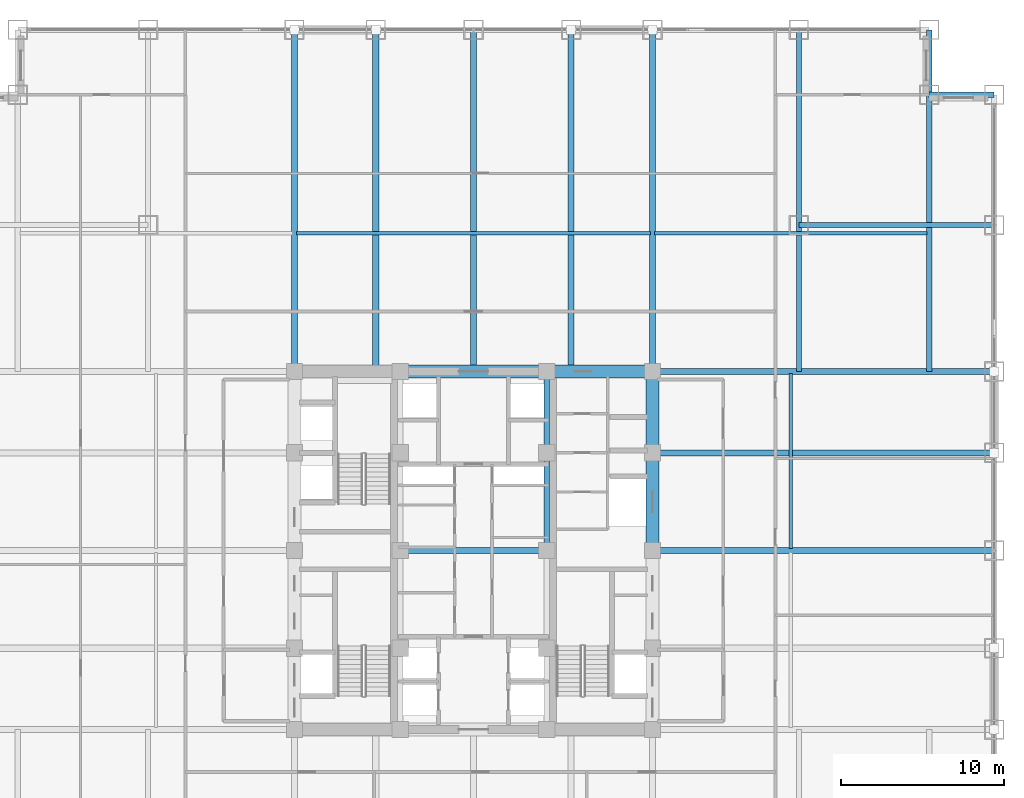
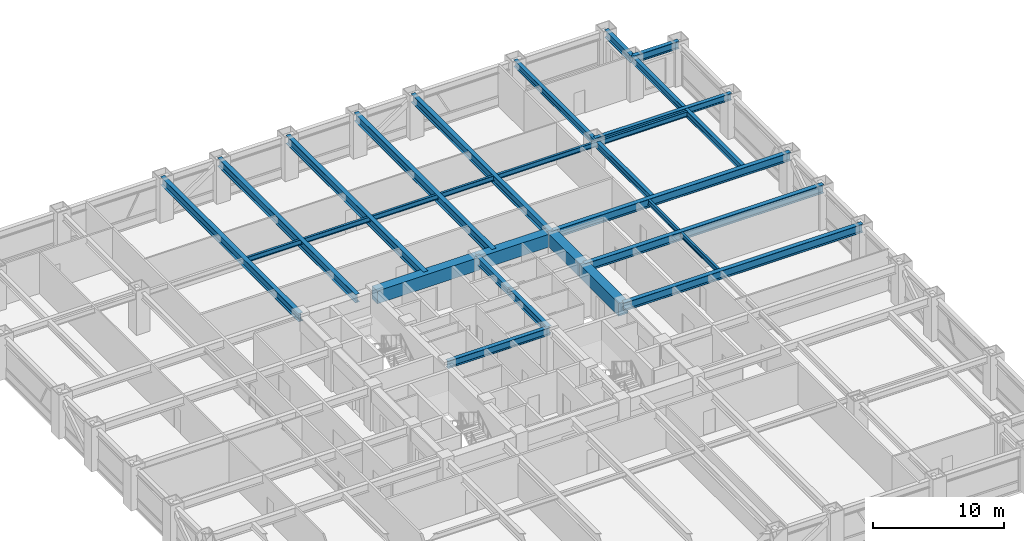
# One storey, part 11 of 27: 23 beams.
"""IFC4 building model written with IfcOpenShell, lengths in metres."""

from ifc_helpers import new_model, si_unit, direction, frame, origin, origin_2d, place, context, subcontext, project, spatial, rectangle, i_section, extrude, source, transform, mapped, material, material_profile, profile_set, type_object, element, save


model = new_model("IFC4")

# Units and contexts
model_context = context("Model", 3, precision=1e-05, world=origin(), true_north=direction((0.0, 1.0)))
body_context = subcontext(model_context, "Body", "Model", "MODEL_VIEW")
ifc_project = project(units=[si_unit("LENGTHUNIT", "METRE"), si_unit("AREAUNIT", "SQUARE_METRE"), si_unit("VOLUMEUNIT", "CUBIC_METRE"), si_unit("PLANEANGLEUNIT", "RADIAN"), si_unit("MASSUNIT", "GRAM", prefix="KILO")], contexts=[model_context])

# Site, building, storey
site_placement = place(None, origin())
site = spatial("IfcSite", under=ifc_project, at=site_placement, CompositionType="ELEMENT")
building_placement = place(site_placement, origin())
building = spatial("IfcBuilding", under=site, at=building_placement, Name="Khorayat Bourse Tower", CompositionType="ELEMENT")
storey_placement = place(building_placement, frame((0.0, 0.0, 103.699951171875)))
storey = spatial("IfcBuildingStorey", under=building, at=storey_placement, Name="L23", CompositionType="ELEMENT", Elevation=103.699951171875)

# Beams
ifc_material_1 = material(Name="Concrete C72/90", Category="concrete")
ifc_material_profile_1 = material_profile(ifc_material_1, rectangle(XDim=0.800048828125, YDim=1.199951171875, at=origin_2d()), Name="RC 800x1200")
ifc_profile_set_1 = profile_set([ifc_material_profile_1], Name="Concrete C72/90")
beam_type_1 = type_object("IfcBeamType", Name="BM-COUP-1200", PredefinedType="BEAM", material=ifc_profile_set_1)
shared_shape_1 = source(origin(), body_context, "Body", "SweptSolid", [
    extrude(rectangle(XDim=0.800048828125, YDim=1.199951171875, at=origin_2d()), origin(), (0.0, 0.0, 1.0), 5.0),
])
beam_1_placement = place(storey_placement, frame((11.0, 6.0, 3.239990234375), z_axis=(0.0, 1.0, 0.0), x_axis=(-1.0, 0.0, 0.0)))
element("IfcBeam", 1, at=beam_1_placement, inside=storey, type_object=beam_type_1, Name="L23 BM-COUP-1200 BM-L23-CRX-16", PredefinedType="BEAM", context=body_context, shape_type="MappedRepresentation", body=[
    mapped(shared_shape_1, transform((0.0, 0.0, 0.0), scale=1.0)),
])
shared_shape_2 = source(origin(), body_context, "Body", "SweptSolid", [
    extrude(rectangle(XDim=0.800048828125, YDim=1.199951171875, at=origin_2d()), origin(), (0.0, 0.0, 1.0), 6.0),
])
beam_2_placement = place(storey_placement, frame((11.0, 0.0, 3.239990234375), z_axis=(0.0, 1.0, 0.0), x_axis=(-1.0, 0.0, 0.0)))
element("IfcBeam", 2, at=beam_2_placement, inside=storey, type_object=beam_type_1, Name="L23 BM-COUP-1200 BM-L23-CRX-15", PredefinedType="BEAM", context=body_context, shape_type="MappedRepresentation", body=[
    mapped(shared_shape_2, transform((0.0, 0.0, 0.0), scale=1.0)),
])
ifc_material_2 = material(Name="Steel ASTM A992 Grade 50", Category="steel")
ifc_material_profile_2 = material_profile(ifc_material_2, i_section(OverallWidth=0.35498046875, OverallDepth=0.695068359375, WebThickness=0.015380859375, FlangeThickness=0.02490234375, FilletRadius=0.01806640625, at=origin_2d()), Name="W690X217")
ifc_profile_set_2 = profile_set([ifc_material_profile_2], Name="Steel ASTM A992 Grade 50")
beam_type_2 = type_object("IfcBeamType", Name="BM-GIRD-690", PredefinedType="BEAM", material=ifc_profile_set_2)
shared_shape_3 = source(origin(), body_context, "Body", "SweptSolid", [
    extrude(i_section(OverallWidth=0.35498046875, OverallDepth=0.695068359375, WebThickness=0.015380859375, FlangeThickness=0.02490234375, FilletRadius=0.01806640625, at=origin_2d()), origin(), (0.0, 0.0, 1.0), 5.0),
])
beam_3_placement = place(storey_placement, frame((4.5, 6.0, 3.492431640625), z_axis=(0.0, 1.0, 0.0), x_axis=(-1.0, 0.0, 0.0)))
element("IfcBeam", 3, at=beam_3_placement, inside=storey, type_object=beam_type_2, Name="L23 BM-GIRD-690 BM-L23-CRX-12", PredefinedType="BEAM", context=body_context, shape_type="MappedRepresentation", body=[
    mapped(shared_shape_3, transform((0.0, 0.0, 0.0), scale=1.0)),
])
shared_shape_4 = source(origin(), body_context, "Body", "SweptSolid", [
    extrude(i_section(OverallWidth=0.35498046875, OverallDepth=0.695068359375, WebThickness=0.015380859375, FlangeThickness=0.02490234375, FilletRadius=0.01806640625, at=origin_2d()), origin(), (0.0, 0.0, 1.0), 6.0),
])
beam_4_placement = place(storey_placement, frame((4.5, 0.0, 3.492431640625), z_axis=(0.0, 1.0, 0.0), x_axis=(-1.0, 0.0, 0.0)))
element("IfcBeam", 4, at=beam_4_placement, inside=storey, type_object=beam_type_2, Name="L23 BM-GIRD-690 BM-L23-CRX-11", PredefinedType="BEAM", context=body_context, shape_type="MappedRepresentation", body=[
    mapped(shared_shape_4, transform((0.0, 0.0, 0.0), scale=1.0)),
])
shared_shape_5 = source(origin(), body_context, "Body", "SweptSolid", [
    extrude(rectangle(XDim=0.800048828125, YDim=1.199951171875, at=origin_2d()), origin(), (0.0, 0.0, 1.0), 6.5),
])
beam_5_placement = place(storey_placement, frame((4.5, 11.0, 3.239990234375), z_axis=(1.0, 0.0, 0.0), x_axis=(0.0, 1.0, 0.0)))
element("IfcBeam", 5, at=beam_5_placement, inside=storey, type_object=beam_type_1, Name="L23 BM-COUP-1200 BM-L23-CRY-22", PredefinedType="BEAM", context=body_context, shape_type="MappedRepresentation", body=[
    mapped(shared_shape_5, transform((0.0, 0.0, 0.0), scale=1.0)),
])
shared_shape_6 = source(origin(), body_context, "Body", "SweptSolid", [
    extrude(rectangle(XDim=0.800048828125, YDim=1.199951171875, at=origin_2d()), origin(), (0.0, 0.0, 1.0), 9.0),
])
beam_6_placement = place(storey_placement, frame((-4.5, 11.0, 3.239990234375), z_axis=(1.0, 0.0, 0.0), x_axis=(0.0, 1.0, 0.0)))
element("IfcBeam", 6, at=beam_6_placement, inside=storey, type_object=beam_type_1, Name="L23 BM-COUP-1200 BM-L23-CRY-21", PredefinedType="BEAM", context=body_context, shape_type="MappedRepresentation", body=[
    mapped(shared_shape_6, transform((0.0, 0.0, 0.0), scale=1.0)),
])
shared_shape_7 = source(origin(), body_context, "Body", "SweptSolid", [
    extrude(i_section(OverallWidth=0.35498046875, OverallDepth=0.695068359375, WebThickness=0.015380859375, FlangeThickness=0.02490234375, FilletRadius=0.01806640625, at=origin_2d()), origin(), (0.0, 0.0, 1.0), 9.0),
])
beam_7_placement = place(storey_placement, frame((-4.5, 0.0, 3.492431640625), z_axis=(1.0, 0.0, 0.0), x_axis=(0.0, 1.0, 0.0)))
element("IfcBeam", 7, at=beam_7_placement, inside=storey, type_object=beam_type_2, Name="L23 BM-GIRD-690 BM-L23-CRY-23", PredefinedType="BEAM", context=body_context, shape_type="MappedRepresentation", body=[
    mapped(shared_shape_7, transform((0.0, 0.0, 0.0), scale=1.0)),
])
ifc_material_profile_3 = material_profile(ifc_material_2, i_section(OverallWidth=0.324951171875, OverallDepth=0.615966796875, WebThickness=0.013916015625, FlangeThickness=0.021484375, FilletRadius=0.01611328125, at=origin_2d()), Name="W610X174")
ifc_profile_set_3 = profile_set([ifc_material_profile_3], Name="Steel ASTM A992 Grade 50")
beam_type_3 = type_object("IfcBeamType", Name="BM-GIRD-610", PredefinedType="BEAM", material=ifc_profile_set_3)
shared_shape_8 = source(origin(), body_context, "Body", "SweptSolid", [
    extrude(i_section(OverallWidth=0.324951171875, OverallDepth=0.615966796875, WebThickness=0.013916015625, FlangeThickness=0.021484375, FilletRadius=0.01611328125, at=origin_2d()), origin(), (0.0, 0.0, 1.0), 21.0),
])
beam_8_placement = place(storey_placement, frame((20.0, 11.0, 3.531982421875), z_axis=(0.0, 1.0, 0.0), x_axis=(-1.0, 0.0, 0.0)))
element("IfcBeam", 8, at=beam_8_placement, inside=storey, type_object=beam_type_3, Name="L23 BM-GIRD-610 BM-L23-CNRY-087", PredefinedType="BEAM", context=body_context, shape_type="MappedRepresentation", body=[
    mapped(shared_shape_8, transform((0.0, 0.0, 0.0), scale=1.0)),
])
shared_shape_9 = source(origin(), body_context, "Body", "SweptSolid", [
    extrude(i_section(OverallWidth=0.324951171875, OverallDepth=0.615966796875, WebThickness=0.013916015625, FlangeThickness=0.021484375, FilletRadius=0.01611328125, at=origin_2d()), origin(), (0.0, 0.0, 1.0), 12.0),
])
beam_9_placement = place(storey_placement, frame((20.0, 20.0, 3.531982421875), z_axis=(1.0, 0.0, 0.0), x_axis=(0.0, 1.0, 0.0)))
element("IfcBeam", 9, at=beam_9_placement, inside=storey, type_object=beam_type_3, Name="L23 BM-GIRD-610 BM-L23-CNRX-094", PredefinedType="BEAM", context=body_context, shape_type="MappedRepresentation", body=[
    mapped(shared_shape_9, transform((0.0, 0.0, 0.0), scale=1.0)),
])
ifc_material_profile_4 = material_profile(ifc_material_2, i_section(OverallWidth=0.194091796875, OverallDepth=0.468994140625, WebThickness=0.0126953125, FlangeThickness=0.0205078125, FilletRadius=0.012939453125, at=origin_2d()), Name="W460X106")
ifc_profile_set_4 = profile_set([ifc_material_profile_4], Name="Steel ASTM A992 Grade 50")
beam_type_4 = type_object("IfcBeamType", Name="BM-JOIST-460", PredefinedType="JOIST", material=ifc_profile_set_4)
shared_shape_10 = source(origin(), body_context, "Body", "SweptSolid", [
    extrude(i_section(OverallWidth=0.194091796875, OverallDepth=0.468994140625, WebThickness=0.0126953125, FlangeThickness=0.0205078125, FilletRadius=0.012939453125, at=origin_2d()), origin(), (0.0, 0.0, 1.0), 21.740234375),
])
beam_10_placement = place(storey_placement, frame((-10.8701171875, 19.5, 3.60546875), z_axis=(1.0, 0.0, 0.0), x_axis=(0.0, 1.0, 0.0)))
element("IfcBeam", 10, at=beam_10_placement, inside=storey, type_object=beam_type_4, Name="L23 BM-JOIST-460 BM-L23-JSTX-100", PredefinedType="JOIST", context=body_context, shape_type="MappedRepresentation", body=[
    mapped(shared_shape_10, transform((0.0, 0.0, 0.0), scale=1.0)),
])
shared_shape_11 = source(origin(), body_context, "Body", "SweptSolid", [
    extrude(i_section(OverallWidth=0.194091796875, OverallDepth=0.468994140625, WebThickness=0.0126953125, FlangeThickness=0.0205078125, FilletRadius=0.012939453125, at=origin_2d()), origin(), (0.0, 0.0, 1.0), 10.740234375),
])
beam_11_placement = place(storey_placement, frame((19.5, 0.1298828125, 3.60546875), z_axis=(0.0, 1.0, 0.0), x_axis=(-1.0, 0.0, 0.0)))
element("IfcBeam", 11, at=beam_11_placement, inside=storey, type_object=beam_type_4, Name="L23 BM-JOIST-460 BM-L23-JSTY-105", PredefinedType="JOIST", context=body_context, shape_type="MappedRepresentation", body=[
    mapped(shared_shape_11, transform((0.0, 0.0, 0.0), scale=1.0)),
])
ifc_material_profile_5 = material_profile(ifc_material_2, i_section(OverallWidth=0.35498046875, OverallDepth=0.695068359375, WebThickness=0.015380859375, FlangeThickness=0.02490234375, FilletRadius=0.01806640625, at=origin_2d()), Name="W690X217")
ifc_profile_set_5 = profile_set([ifc_material_profile_5], Name="Steel ASTM A992 Grade 50")
beam_type_5 = type_object("IfcBeamType", Name="BM-SPAN-690", PredefinedType="SPANDREL", material=ifc_profile_set_5)
shared_shape_12 = source(origin(), body_context, "Body", "SweptSolid", [
    extrude(i_section(OverallWidth=0.35498046875, OverallDepth=0.695068359375, WebThickness=0.015380859375, FlangeThickness=0.02490234375, FilletRadius=0.01806640625, at=origin_2d()), origin(), (0.0, 0.0, 1.0), 4.0),
])
for number, where, z_axis, x_axis, name in (
    (12, (28.0, 28.0, 3.492431640625), (1.0, 0.0, 0.0), (0.0, 1.0, 0.0), "L23 BM-SPAN-690 BM-L23-SPN-042"),
    (13, (28.0, 28.0, 3.492431640625), (0.0, 1.0, 0.0), (-1.0, 0.0, 0.0), "L23 BM-SPAN-690 BM-L23-SPN-043"),
):
    element("IfcBeam", number, at=place(storey_placement, frame(where, z_axis=z_axis, x_axis=x_axis)), inside=storey, type_object=beam_type_5, Name=name, PredefinedType="SPANDREL", context=body_context, shape_type="MappedRepresentation", body=[
        mapped(shared_shape_12, transform((0.0, 0.0, 0.0), scale=1.0)),
    ])
ifc_material_profile_6 = material_profile(ifc_material_2, i_section(OverallWidth=0.381103515625, OverallDepth=0.77294921875, WebThickness=0.0166015625, FlangeThickness=0.027587890625, FilletRadius=0.01806640625, at=origin_2d()), Name="W760X257")
ifc_profile_set_6 = profile_set([ifc_material_profile_6], Name="Steel ASTM A992 Grade 50")
beam_type_6 = type_object("IfcBeamType", Name="BM-GIRD-760", PredefinedType="BEAM", material=ifc_profile_set_6)
shared_shape_13 = source(origin(), body_context, "Body", "SweptSolid", [
    extrude(i_section(OverallWidth=0.381103515625, OverallDepth=0.77294921875, WebThickness=0.0166015625, FlangeThickness=0.027587890625, FilletRadius=0.01806640625, at=origin_2d()), origin(), (0.0, 0.0, 1.0), 21.0),
])
for number, where, z_axis, x_axis, name in (
    (14, (-11.0, 11.0, 3.45361328125), (0.0, 1.0, 0.0), (-1.0, 0.0, 0.0), "L23 BM-GIRD-760 BM-L23-RADY-064"),
    (15, (-6.0, 11.0, 3.45361328125), (0.0, 1.0, 0.0), (-1.0, 0.0, 0.0), "L23 BM-GIRD-760 BM-L23-RADY-066"),
    (16, (0.0, 11.0, 3.45361328125), (0.0, 1.0, 0.0), (-1.0, 0.0, 0.0), "L23 BM-GIRD-760 BM-L23-RADY-068"),
    (17, (6.0, 11.0, 3.45361328125), (0.0, 1.0, 0.0), (-1.0, 0.0, 0.0), "L23 BM-GIRD-760 BM-L23-RADY-070"),
    (18, (11.0, 11.0, 3.45361328125), (0.0, 1.0, 0.0), (-1.0, 0.0, 0.0), "L23 BM-GIRD-760 BM-L23-RADY-072"),
    (19, (11.0, 0.0, 3.45361328125), (1.0, 0.0, 0.0), (0.0, 1.0, 0.0), "L23 BM-GIRD-760 BM-L23-RADX-078"),
    (20, (11.0, 6.0, 3.45361328125), (1.0, 0.0, 0.0), (0.0, 1.0, 0.0), "L23 BM-GIRD-760 BM-L23-RADX-080"),
    (21, (11.0, 11.0, 3.45361328125), (1.0, 0.0, 0.0), (0.0, 1.0, 0.0), "L23 BM-GIRD-760 BM-L23-RADX-082"),
):
    element("IfcBeam", number, at=place(storey_placement, frame(where, z_axis=z_axis, x_axis=x_axis)), inside=storey, type_object=beam_type_6, Name=name, PredefinedType="BEAM", context=body_context, shape_type="MappedRepresentation", body=[
        mapped(shared_shape_13, transform((0.0, 0.0, 0.0), scale=1.0)),
    ])
shared_shape_14 = source(origin(), body_context, "Body", "SweptSolid", [
    extrude(i_section(OverallWidth=0.324951171875, OverallDepth=0.615966796875, WebThickness=0.013916015625, FlangeThickness=0.021484375, FilletRadius=0.01611328125, at=origin_2d()), origin(), (0.0, 0.0, 1.0), 17.0),
])
beam_12_placement = place(storey_placement, frame((28.0, 11.0, 3.531982421875), z_axis=(0.0, 1.0, 0.0), x_axis=(-1.0, 0.0, 0.0)))
element("IfcBeam", 22, at=beam_12_placement, inside=storey, type_object=beam_type_3, Name="L23 BM-GIRD-610 BM-L23-CNRY-091", PredefinedType="BEAM", context=body_context, shape_type="MappedRepresentation", body=[
    mapped(shared_shape_14, transform((0.0, 0.0, 0.0), scale=1.0)),
])
shared_shape_15 = source(origin(), body_context, "Body", "SweptSolid", [
    extrude(i_section(OverallWidth=0.194091796875, OverallDepth=0.468994140625, WebThickness=0.0126953125, FlangeThickness=0.0205078125, FilletRadius=0.012939453125, at=origin_2d()), origin(), (0.0, 0.0, 1.0), 16.740234375),
])
beam_13_placement = place(storey_placement, frame((11.1298828125, 19.5, 3.60546875), z_axis=(1.0, 0.0, 0.0), x_axis=(0.0, 1.0, 0.0)))
element("IfcBeam", 23, at=beam_13_placement, inside=storey, type_object=beam_type_4, Name="L23 BM-JOIST-460 BM-L23-JSTX-101", PredefinedType="JOIST", context=body_context, shape_type="MappedRepresentation", body=[
    mapped(shared_shape_15, transform((0.0, 0.0, 0.0), scale=1.0)),
])

save(model, "model.ifc")
